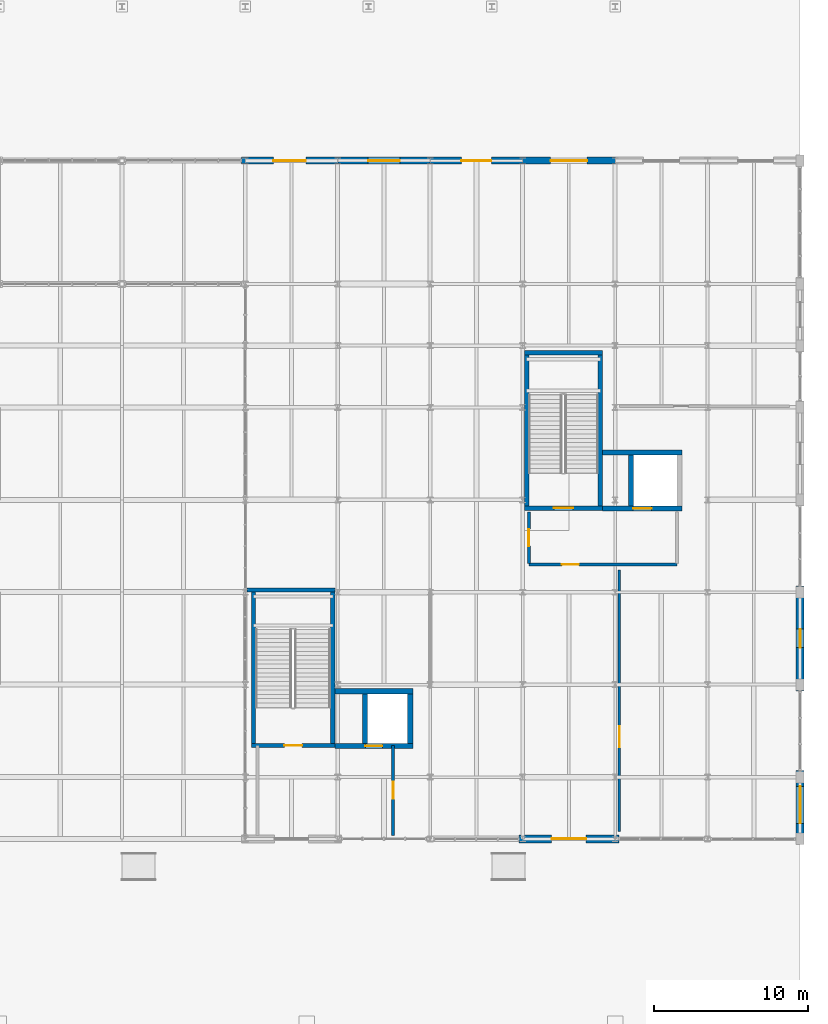
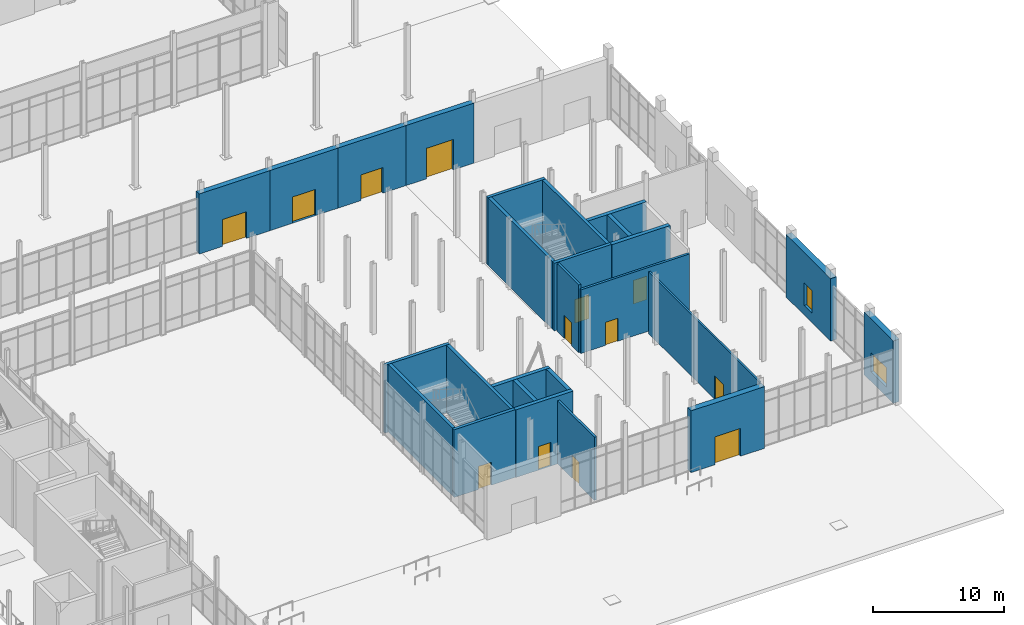
# One storey, part 125 of 140: 26 walls, 13 doors, 2 windows, 15 openings.
"""IFC4 building model written with IfcOpenShell, lengths in metres."""

from ifc_helpers import new_model, si_unit, direction, frame, frame_2d, origin, place, context, subcontext, project, spatial, rectangle, extrude, material, layer, layer_set, type_object, element, fill, save


model = new_model("IFC4")

# Units and contexts
model_context = context("Model", 3, precision=1e-05, world=origin(), true_north=direction((0.0, 1.0)))
body_context = subcontext(model_context, "Body", "Model", "MODEL_VIEW")
ifc_project = project(units=[si_unit("LENGTHUNIT", "METRE"), si_unit("AREAUNIT", "SQUARE_METRE"), si_unit("VOLUMEUNIT", "CUBIC_METRE"), si_unit("PLANEANGLEUNIT", "RADIAN"), si_unit("MASSUNIT", "GRAM", prefix="KILO")], contexts=[model_context])

# Site, building, storey
site_placement = place(None, origin())
site = spatial("IfcSite", under=ifc_project, at=site_placement, CompositionType="ELEMENT")
building_placement = place(site_placement, origin())
building = spatial("IfcBuilding", under=site, at=building_placement, Name="Verrall Gate Interchange", CompositionType="ELEMENT")
storey_placement = place(building_placement, origin())
storey = spatial("IfcBuildingStorey", under=building, at=storey_placement, Name="L01", CompositionType="ELEMENT", Elevation=0.0)

# Wall, opening, door
ifc_material_1 = material(Name="Tyndall Dolomitic Limestone Ashlar Cavity Assembly (U=0.18)", Category="masonry")
ifc_layer_1 = layer(ifc_material_1, 0.4599609375)
ifc_layer_set_1 = layer_set([ifc_layer_1], Name="Tyndall Dolomitic Limestone Ashlar Cavity Assembly (U=0.18)")
wall_type_1 = type_object("IfcWallType", Name="EW-02 Exterior Solid Wall 460", PredefinedType="SOLIDWALL", material=ifc_layer_set_1)
wall_1_placement = place(storey_placement, frame((156.008056640625, 56.0, 0.0), z_axis=(0.0, 0.0, 1.0), x_axis=(-1.0, 0.0, 0.0)))
wall_1 = element("IfcWall", 1, at=wall_1_placement, inside=storey, type_object=wall_type_1, Name="L01 Classical Limestone Facade Wall 038", PredefinedType="SOLIDWALL", context=body_context, shape_type="SweptSolid", body=[
    extrude(rectangle(XDim=6.01611328125, YDim=0.4599609375, at=frame_2d((3.008056640625, 0.0))), origin(), (0.0, 0.0, 1.0), 5.60693359375),
])
opening_1_placement = place(wall_1_placement, frame((1.818115234375, 0.0, 0.0)))
opening_1 = element("IfcOpeningElement", 2, at=opening_1_placement, cuts=wall_1, Name="Opening E32", PredefinedType="OPENING", context=body_context, shape_type="SweptSolid", body=[
    extrude(rectangle(XDim=2.3798828125, YDim=2.85009765625, at=frame_2d((1.18994140625, 1.425048828125))), frame((0.0, 0.244873046875, 0.0), z_axis=(0.0, -1.0, 0.0), x_axis=(1.0, 0.0, 0.0)), (0.0, 0.0, 1.0), 0.48974609375),
])
ifc_material_2 = material(Name="Thermally Broken Bronze-Anodized Aluminium Entrance Assembly", Category="aluminium")
door_type_1 = type_object("IfcDoorType", Name="ED-08 Exterior Entrance Door 2380x2850", OperationType="NOTDEFINED", PredefinedType="DOOR", material=ifc_material_2)
door_1_placement = place(opening_1_placement, origin())
door_1 = element("IfcDoor", 3, at=door_1_placement, inside=storey, type_object=door_type_1, Name="Main Interchange Exit Portal E32", OperationType="DOUBLE_DOOR_SINGLE_SWING", OverallHeight=2.85009765625, OverallWidth=2.3798828125, PredefinedType="DOOR", context=body_context, shape_type="SweptSolid", body=[
    extrude(rectangle(XDim=2.3798828125, YDim=2.85009765625, at=frame_2d((1.18994140625, 1.425048828125))), frame((0.0, 0.02490234375, 0.0), z_axis=(0.0, -1.0, 0.0), x_axis=(1.0, 0.0, 0.0)), (0.0, 0.0, 1.0), 0.050048828125),
])
fill(opening_1, door_1)

wall_2_placement = place(storey_placement, frame((150.008056640625, 56.0, 0.0), z_axis=(0.0, 0.0, 1.0), x_axis=(-1.0, 0.0, 0.0)))
wall_2 = element("IfcWall", 4, at=wall_2_placement, inside=storey, type_object=wall_type_1, Name="L01 Classical Limestone Facade Wall 039", PredefinedType="SOLIDWALL", context=body_context, shape_type="SweptSolid", body=[
    extrude(rectangle(XDim=6.01611328125, YDim=0.4599609375, at=frame_2d((3.008056640625, 0.0))), origin(), (0.0, 0.0, 1.0), 5.60693359375),
])
opening_2_placement = place(wall_2_placement, frame((2.032958984375, 0.0, 0.0)))
opening_2 = element("IfcOpeningElement", 5, at=opening_2_placement, cuts=wall_2, Name="Opening E33", PredefinedType="OPENING", context=body_context, shape_type="SweptSolid", body=[
    extrude(rectangle(XDim=1.949951171875, YDim=2.39990234375, at=frame_2d((0.97509765625, 1.199951171875))), frame((0.0, 0.244873046875, 0.0), z_axis=(0.0, -1.0, 0.0), x_axis=(1.0, 0.0, 0.0)), (0.0, 0.0, 1.0), 0.48974609375),
])
ifc_material_3 = material(Name="Thermally Broken Bronze-Anodized Aluminium Entrance Assembly", Category="aluminium")
door_type_2 = type_object("IfcDoorType", Name="ED-01 Exterior Entrance Door 1950x2400", OperationType="NOTDEFINED", PredefinedType="DOOR", material=ifc_material_3)
door_2_placement = place(opening_2_placement, origin())
door_2 = element("IfcDoor", 6, at=door_2_placement, inside=storey, type_object=door_type_2, Name="Main Interchange Exit Portal E33", OperationType="DOUBLE_DOOR_SINGLE_SWING", OverallHeight=2.39990234375, OverallWidth=1.949951171875, PredefinedType="DOOR", context=body_context, shape_type="SweptSolid", body=[
    extrude(rectangle(XDim=1.949951171875, YDim=2.39990234375, at=frame_2d((0.97509765625, 1.199951171875))), frame((0.0, 0.02490234375, 0.0), z_axis=(0.0, -1.0, 0.0), x_axis=(1.0, 0.0, 0.0)), (0.0, 0.0, 1.0), 0.050048828125),
])
fill(opening_2, door_2)

wall_3_placement = place(storey_placement, frame((144.008056640625, 56.0, 0.0), z_axis=(0.0, 0.0, 1.0), x_axis=(-1.0, 0.0, 0.0)))
wall_3 = element("IfcWall", 7, at=wall_3_placement, inside=storey, type_object=wall_type_1, Name="L01 Classical Limestone Facade Wall 040", PredefinedType="SOLIDWALL", context=body_context, shape_type="SweptSolid", body=[
    extrude(rectangle(XDim=6.01611328125, YDim=0.4599609375, at=frame_2d((3.008056640625, 0.0))), origin(), (0.0, 0.0, 1.0), 5.60693359375),
])
opening_3_placement = place(wall_3_placement, frame((1.98291015625, 0.0, 0.0)))
opening_3 = element("IfcOpeningElement", 8, at=opening_3_placement, cuts=wall_3, Name="Opening E34", PredefinedType="OPENING", context=body_context, shape_type="SweptSolid", body=[
    extrude(rectangle(XDim=2.050048828125, YDim=2.449951171875, at=frame_2d((1.02490234375, 1.22509765625))), frame((0.0, 0.244873046875, 0.0), z_axis=(0.0, -1.0, 0.0), x_axis=(1.0, 0.0, 0.0)), (0.0, 0.0, 1.0), 0.48974609375),
])
ifc_material_4 = material(Name="Thermally Broken Bronze-Anodized Aluminium Entrance Assembly", Category="aluminium")
door_type_3 = type_object("IfcDoorType", Name="ED-02 Exterior Entrance Door 2050x2450", OperationType="NOTDEFINED", PredefinedType="DOOR", material=ifc_material_4)
door_3_placement = place(opening_3_placement, origin())
door_3 = element("IfcDoor", 9, at=door_3_placement, inside=storey, type_object=door_type_3, Name="Main Interchange Exit Portal E34", OperationType="DOUBLE_DOOR_SINGLE_SWING", OverallHeight=2.449951171875, OverallWidth=2.050048828125, PredefinedType="DOOR", context=body_context, shape_type="SweptSolid", body=[
    extrude(rectangle(XDim=2.050048828125, YDim=2.449951171875, at=frame_2d((1.02490234375, 1.22509765625))), frame((0.0, 0.02490234375, 0.0), z_axis=(0.0, -1.0, 0.0), x_axis=(1.0, 0.0, 0.0)), (0.0, 0.0, 1.0), 0.050048828125),
])
fill(opening_3, door_3)

wall_4_placement = place(storey_placement, frame((138.008056640625, 56.0, 0.0), z_axis=(0.0, 0.0, 1.0), x_axis=(-1.0, 0.0, 0.0)))
wall_4 = element("IfcWall", 10, at=wall_4_placement, inside=storey, type_object=wall_type_1, Name="L01 Classical Limestone Facade Wall 041", PredefinedType="SOLIDWALL", context=body_context, shape_type="SweptSolid", body=[
    extrude(rectangle(XDim=6.258056640625, YDim=0.4599609375, at=frame_2d((3.12890625, 0.0))), origin(), (0.0, 0.0, 1.0), 5.60693359375),
])
opening_4_placement = place(wall_4_placement, frame((2.069091796875, 0.0, 0.0)))
opening_4 = element("IfcOpeningElement", 11, at=opening_4_placement, cuts=wall_4, Name="Opening E35", PredefinedType="OPENING", context=body_context, shape_type="SweptSolid", body=[
    extrude(rectangle(XDim=2.1201171875, YDim=2.5, at=frame_2d((1.06005859375, 1.25))), frame((0.0, 0.244873046875, 0.0), z_axis=(0.0, -1.0, 0.0), x_axis=(1.0, 0.0, 0.0)), (0.0, 0.0, 1.0), 0.48974609375),
])
ifc_material_5 = material(Name="Thermally Broken Bronze-Anodized Aluminium Entrance Assembly", Category="aluminium")
door_type_4 = type_object("IfcDoorType", Name="ED-03 Exterior Entrance Door 2120x2500", OperationType="NOTDEFINED", PredefinedType="DOOR", material=ifc_material_5)
door_4_placement = place(opening_4_placement, origin())
door_4 = element("IfcDoor", 12, at=door_4_placement, inside=storey, type_object=door_type_4, Name="Main Interchange Exit Portal E35", OperationType="DOUBLE_DOOR_SINGLE_SWING", OverallHeight=2.5, OverallWidth=2.1201171875, PredefinedType="DOOR", context=body_context, shape_type="SweptSolid", body=[
    extrude(rectangle(XDim=2.1201171875, YDim=2.5, at=frame_2d((1.06005859375, 1.25))), frame((0.0, 0.02490234375, 0.0), z_axis=(0.0, -1.0, 0.0), x_axis=(1.0, 0.0, 0.0)), (0.0, 0.0, 1.0), 0.050048828125),
])
fill(opening_4, door_4)

ifc_material_6 = material(Name="Prairie Charcoal Granite Plinth Rainscreen Assembly (U=0.18)", Category="masonry")
ifc_layer_2 = layer(ifc_material_6, 0.52001953125)
ifc_layer_set_2 = layer_set([ifc_layer_2], Name="Prairie Charcoal Granite Plinth Rainscreen Assembly (U=0.18)")
wall_type_2 = type_object("IfcWallType", Name="EW-03 Exterior Solid Wall 520", PredefinedType="SOLIDWALL", material=ifc_layer_set_2)
wall_5_placement = place(storey_placement, frame((156.25, 12.0, 0.0), z_axis=(0.0, 0.0, 1.0), x_axis=(-1.0, 0.0, 0.0)))
wall_5 = element("IfcWall", 13, at=wall_5_placement, inside=storey, type_object=wall_type_2, Name="L01 Classical Limestone Facade Wall 031", PredefinedType="SOLIDWALL", context=body_context, shape_type="SweptSolid", body=[
    extrude(rectangle(XDim=6.5, YDim=0.52001953125, at=frame_2d((3.25, 0.0))), origin(), (0.0, 0.0, 1.0), 5.760986328125),
])
opening_5_placement = place(wall_5_placement, frame((2.1298828125, 0.0, 0.0)))
opening_5 = element("IfcOpeningElement", 14, at=opening_5_placement, cuts=wall_5, Name="Opening E29", PredefinedType="OPENING", context=body_context, shape_type="SweptSolid", body=[
    extrude(rectangle(XDim=2.239990234375, YDim=2.60009765625, at=frame_2d((1.1201171875, 1.300048828125))), frame((0.0, 0.27490234375, 0.0), z_axis=(0.0, -1.0, 0.0), x_axis=(1.0, 0.0, 0.0)), (0.0, 0.0, 1.0), 0.5498046875),
])
ifc_material_7 = material(Name="Thermally Broken Bronze-Anodized Aluminium Entrance Assembly", Category="aluminium")
door_type_5 = type_object("IfcDoorType", Name="ED-05 Exterior Entrance Door 2240x2600", OperationType="NOTDEFINED", PredefinedType="DOOR", material=ifc_material_7)
door_5_placement = place(opening_5_placement, origin())
door_5 = element("IfcDoor", 15, at=door_5_placement, inside=storey, type_object=door_type_5, Name="Main Interchange Exit Portal E29", OperationType="DOUBLE_DOOR_SINGLE_SWING", OverallHeight=2.60009765625, OverallWidth=2.239990234375, PredefinedType="DOOR", context=body_context, shape_type="SweptSolid", body=[
    extrude(rectangle(XDim=2.239990234375, YDim=2.60009765625, at=frame_2d((1.1201171875, 1.300048828125))), frame((0.0, 0.02490234375, 0.0), z_axis=(0.0, -1.0, 0.0), x_axis=(1.0, 0.0, 0.0)), (0.0, 0.0, 1.0), 0.050048828125),
])
fill(opening_5, door_5)

# Wall, opening, window
wall_6_placement = place(storey_placement, frame((168.0, 11.991943359375, 0.0), z_axis=(0.0, 0.0, 1.0), x_axis=(0.0, 1.0, 0.0)))
wall_6 = element("IfcWall", 16, at=wall_6_placement, inside=storey, type_object=wall_type_2, Name="L01 Classical Limestone Facade Wall 032", PredefinedType="SOLIDWALL", context=body_context, shape_type="SweptSolid", body=[
    extrude(rectangle(XDim=4.427978515625, YDim=0.52001953125, at=frame_2d((2.2138671875, 0.0))), origin(), (0.0, 0.0, 1.0), 5.8369140625),
])
opening_6_placement = place(wall_6_placement, frame((1.013916015625, 0.0, 0.89990234375)))
opening_6 = element("IfcOpeningElement", 17, at=opening_6_placement, cuts=wall_6, Name="Opening WN-08", PredefinedType="OPENING", context=body_context, shape_type="SweptSolid", body=[
    extrude(rectangle(XDim=2.39990234375, YDim=1.800048828125, at=frame_2d((1.199951171875, 0.89990234375))), frame((0.0, 0.27490234375, 0.0), z_axis=(0.0, -1.0, 0.0), x_axis=(1.0, 0.0, 0.0)), (0.0, 0.0, 1.0), 0.5498046875),
])
ifc_material_8 = material(Name="Triple-Glazed Low-E Argon Bronze-Clad Window Unit (U=1.40)", Category="glass")
window_type_1 = type_object("IfcWindowType", Name="WN-08 Classical Deep-Reveal Window 2400x1800", PartitioningType="SINGLE_PANEL", PredefinedType="WINDOW", material=ifc_material_8)
window_1_placement = place(opening_6_placement, origin())
window_1 = element("IfcWindow", 18, at=window_1_placement, inside=storey, type_object=window_type_1, Name="L01 Classical Window 002 (WN-08)", OverallHeight=1.800048828125, OverallWidth=2.39990234375, PartitioningType="SINGLE_PANEL", PredefinedType="WINDOW", context=body_context, shape_type="SweptSolid", body=[
    extrude(rectangle(XDim=2.39990234375, YDim=1.800048828125, at=frame_2d((1.199951171875, 0.89990234375))), frame((0.0, 0.030029296875, 0.0), z_axis=(0.0, -1.0, 0.0), x_axis=(1.0, 0.0, 0.0)), (0.0, 0.0, 1.0), 0.06005859375),
])
fill(opening_6, window_1)

wall_7_placement = place(storey_placement, frame((168.0, 21.580078125, 0.0), z_axis=(0.0, 0.0, 1.0), x_axis=(0.0, 1.0, 0.0)))
wall_7 = element("IfcWall", 19, at=wall_7_placement, inside=storey, type_object=wall_type_2, Name="L01 Classical Limestone Facade Wall 033", PredefinedType="SOLIDWALL", context=body_context, shape_type="SweptSolid", body=[
    extrude(rectangle(XDim=6.83984375, YDim=0.52001953125, at=frame_2d((3.419921875, 0.0))), origin(), (0.0, 0.0, 1.0), 5.8369140625),
])
opening_7_placement = place(wall_7_placement, frame((2.820068359375, 0.0, 0.89990234375)))
opening_7 = element("IfcOpeningElement", 20, at=opening_7_placement, cuts=wall_7, Name="Opening WN-09", PredefinedType="OPENING", context=body_context, shape_type="SweptSolid", body=[
    extrude(rectangle(XDim=1.199951171875, YDim=2.10009765625, at=frame_2d((0.60009765625, 1.050048828125))), frame((0.0, 0.27490234375, 0.0), z_axis=(0.0, -1.0, 0.0), x_axis=(1.0, 0.0, 0.0)), (0.0, 0.0, 1.0), 0.5498046875),
])
ifc_material_9 = material(Name="Triple-Glazed Low-E Argon Bronze-Clad Window Unit (U=1.40)", Category="glass")
window_type_2 = type_object("IfcWindowType", Name="WN-09 Classical Deep-Reveal Window 1200x2100", PartitioningType="SINGLE_PANEL", PredefinedType="WINDOW", material=ifc_material_9)
window_2_placement = place(opening_7_placement, origin())
window_2 = element("IfcWindow", 21, at=window_2_placement, inside=storey, type_object=window_type_2, Name="L01 Classical Window 003 (WN-09)", OverallHeight=2.10009765625, OverallWidth=1.199951171875, PartitioningType="SINGLE_PANEL", PredefinedType="WINDOW", context=body_context, shape_type="SweptSolid", body=[
    extrude(rectangle(XDim=1.199951171875, YDim=2.10009765625, at=frame_2d((0.60009765625, 1.050048828125))), frame((0.0, 0.030029296875, 0.0), z_axis=(0.0, -1.0, 0.0), x_axis=(1.0, 0.0, 0.0)), (0.0, 0.0, 1.0), 0.06005859375),
])
fill(opening_7, window_2)

# Wall, opening, door
ifc_material_10 = material(Name="Fire-Rated Type X Gypsum Stud Partition Assembly (60 min)", Category="gypsum")
ifc_layer_3 = layer(ifc_material_10, 0.199951171875)
ifc_layer_set_3 = layer_set([ifc_layer_3], Name="Fire-Rated Type X Gypsum Stud Partition Assembly (60 min)")
wall_type_3 = type_object("IfcWallType", Name="IW-01 Interior Partition Wall 200", PredefinedType="PARTITIONING", material=ifc_layer_set_3)
wall_8_placement = place(storey_placement, frame((141.60009765625, 12.22998046875, 0.0), z_axis=(0.0, 0.0, 1.0), x_axis=(0.0, 1.0, 0.0)))
wall_8 = element("IfcWall", 22, at=wall_8_placement, inside=storey, type_object=wall_type_3, Name="L01 Core C8 Lobby East Rated Wall", PredefinedType="PARTITIONING", context=body_context, shape_type="SweptSolid", body=[
    extrude(rectangle(XDim=5.820068359375, YDim=0.199951171875, at=frame_2d((2.91015625, 0.0))), origin(), (0.0, 0.0, 1.0), 5.889892578125),
])
opening_8_placement = place(wall_8_placement, frame((2.360107421875, 0.0, 0.0)))
opening_8 = element("IfcOpeningElement", 23, at=opening_8_placement, cuts=wall_8, Name="Opening LBD094", PredefinedType="OPENING", context=body_context, shape_type="SweptSolid", body=[
    extrude(rectangle(XDim=1.10009765625, YDim=2.14990234375, at=frame_2d((0.550048828125, 1.074951171875))), frame((0.0, 0.11474609375, 0.0), z_axis=(0.0, -1.0, 0.0), x_axis=(1.0, 0.0, 0.0)), (0.0, 0.0, 1.0), 0.229736328125),
])
ifc_material_11 = material(Name="Hollow-Metal Fire-Rated Door Assembly", Category="metal")
door_type_6 = type_object("IfcDoorType", Name="ID-06 Interior Swing Door 1100x2150", OperationType="NOTDEFINED", PredefinedType="DOOR", material=ifc_material_11)
door_6_placement = place(opening_8_placement, origin())
door_6 = element("IfcDoor", 24, at=door_6_placement, inside=storey, type_object=door_type_6, Name="L01 Core C8 Lobby Fire Door LBD094", OperationType="SINGLE_SWING_RIGHT", OverallHeight=2.14990234375, OverallWidth=1.10009765625, PredefinedType="DOOR", context=body_context, shape_type="SweptSolid", body=[
    extrude(rectangle(XDim=1.10009765625, YDim=2.14990234375, at=frame_2d((0.550048828125, 1.074951171875))), frame((0.0, 0.02490234375, 0.0), z_axis=(0.0, -1.0, 0.0), x_axis=(1.0, 0.0, 0.0)), (0.0, 0.0, 1.0), 0.050048828125),
])
fill(opening_8, door_6)

wall_9_placement = place(storey_placement, frame((150.39990234375, 29.800048828125, 0.0), z_axis=(0.0, 0.0, 1.0), x_axis=(1.0, 0.0, 0.0)))
wall_9 = element("IfcWall", 25, at=wall_9_placement, inside=storey, type_object=wall_type_3, Name="L01 Core C9 Lobby South Rated Wall", PredefinedType="PARTITIONING", context=body_context, shape_type="SweptSolid", body=[
    extrude(rectangle(XDim=9.60009765625, YDim=0.199951171875, at=frame_2d((4.800048828125, 0.0))), origin(), (0.0, 0.0, 1.0), 5.946044921875),
])
opening_9_placement = place(wall_9_placement, frame((2.14990234375, 0.0, 0.0)))
opening_9 = element("IfcOpeningElement", 26, at=opening_9_placement, cuts=wall_9, Name="Opening LBD105", PredefinedType="OPENING", context=body_context, shape_type="SweptSolid", body=[
    extrude(rectangle(XDim=1.10009765625, YDim=2.14990234375, at=frame_2d((0.550048828125, 1.074951171875))), frame((0.0, 0.11474609375, 0.0), z_axis=(0.0, -1.0, 0.0), x_axis=(1.0, 0.0, 0.0)), (0.0, 0.0, 1.0), 0.229736328125),
])
door_7_placement = place(opening_9_placement, origin())
door_7 = element("IfcDoor", 27, at=door_7_placement, inside=storey, type_object=door_type_6, Name="L01 Core C9 Exit Passageway Fire Door LBD105", OperationType="SINGLE_SWING_LEFT", OverallHeight=2.14990234375, OverallWidth=1.10009765625, PredefinedType="DOOR", context=body_context, shape_type="SweptSolid", body=[
    extrude(rectangle(XDim=1.10009765625, YDim=2.14990234375, at=frame_2d((0.550048828125, 1.074951171875))), frame((0.0, 0.02490234375, 0.0), z_axis=(0.0, -1.0, 0.0), x_axis=(1.0, 0.0, 0.0)), (0.0, 0.0, 1.0), 0.050048828125),
])
fill(opening_9, door_7)

wall_10_placement = place(storey_placement, frame((150.39990234375, 33.199951171875, 0.0), z_axis=(0.0, 0.0, 1.0), x_axis=(0.0, -1.0, 0.0)))
wall_10 = element("IfcWall", 28, at=wall_10_placement, inside=storey, type_object=wall_type_3, Name="L01 Core C9 Lobby West Rated Wall", PredefinedType="PARTITIONING", context=body_context, shape_type="SweptSolid", body=[
    extrude(rectangle(XDim=3.320068359375, YDim=0.199951171875, at=frame_2d((1.66015625, 0.0))), origin(), (0.0, 0.0, 1.0), 6.320068359375),
])
opening_10_placement = place(wall_10_placement, frame((1.110107421875, 0.0, 0.0)))
opening_10 = element("IfcOpeningElement", 29, at=opening_10_placement, cuts=wall_10, Name="Opening LBD104", PredefinedType="OPENING", context=body_context, shape_type="SweptSolid", body=[
    extrude(rectangle(XDim=1.10009765625, YDim=2.14990234375, at=frame_2d((0.550048828125, 1.074951171875))), frame((0.0, 0.11474609375, 0.0), z_axis=(0.0, -1.0, 0.0), x_axis=(1.0, 0.0, 0.0)), (0.0, 0.0, 1.0), 0.229736328125),
])
door_8_placement = place(opening_10_placement, origin())
door_8 = element("IfcDoor", 30, at=door_8_placement, inside=storey, type_object=door_type_6, Name="L01 Core C9 Lobby Fire Door LBD104", OperationType="SINGLE_SWING_RIGHT", OverallHeight=2.14990234375, OverallWidth=1.10009765625, PredefinedType="DOOR", context=body_context, shape_type="SweptSolid", body=[
    extrude(rectangle(XDim=1.10009765625, YDim=2.14990234375, at=frame_2d((0.550048828125, 1.074951171875))), frame((0.0, 0.02490234375, 0.0), z_axis=(0.0, -1.0, 0.0), x_axis=(1.0, 0.0, 0.0)), (0.0, 0.0, 1.0), 0.050048828125),
])
fill(opening_10, door_8)

ifc_material_12 = material(Name="Fire-Rated Type X Gypsum Stud Partition Assembly (60 min)", Category="gypsum")
ifc_layer_4 = layer(ifc_material_12, 0.159912109375)
ifc_layer_set_4 = layer_set([ifc_layer_4], Name="Fire-Rated Type X Gypsum Stud Partition Assembly (60 min)")
wall_type_4 = type_object("IfcWallType", Name="IW-02 Interior Partition Wall 160", PredefinedType="PARTITIONING", material=ifc_layer_set_4)
wall_11_placement = place(storey_placement, frame((156.280029296875, 12.47998046875, 0.0), z_axis=(0.0, 0.0, 1.0), x_axis=(0.0, 1.0, 0.0)))
wall_11 = element("IfcWall", 31, at=wall_11_placement, inside=storey, type_object=wall_type_4, Name="L01 Cycle Repair Wash Workshop Partition 035", PredefinedType="PARTITIONING", context=body_context, shape_type="SweptSolid", body=[
    extrude(rectangle(XDim=16.9599609375, YDim=0.159912109375, at=frame_2d((8.47998046875, 0.0))), origin(), (0.0, 0.0, 1.0), 5.760986328125),
])
opening_11_placement = place(wall_11_placement, frame((5.4599609375, 0.0, 0.0)))
opening_11 = element("IfcOpeningElement", 32, at=opening_11_placement, cuts=wall_11, Name="Opening D028", PredefinedType="OPENING", context=body_context, shape_type="SweptSolid", body=[
    extrude(rectangle(XDim=1.360107421875, YDim=2.199951171875, at=frame_2d((0.68017578125, 1.10009765625))), frame((0.0, 0.0947265625, 0.0), z_axis=(0.0, -1.0, 0.0), x_axis=(1.0, 0.0, 0.0)), (0.0, 0.0, 1.0), 0.189697265625),
])
ifc_material_13 = material(Name="Architectural Solid-Core Birch Acoustic Door Assembly", Category="wood")
door_type_7 = type_object("IfcDoorType", Name="ID-17 Interior Swing Door 1360x2200", OperationType="NOTDEFINED", PredefinedType="DOOR", material=ifc_material_13)
door_9_placement = place(opening_11_placement, origin())
door_9 = element("IfcDoor", 33, at=door_9_placement, inside=storey, type_object=door_type_7, Name="L01 Cycle Repair Wash Workshop Door D028", OperationType="SINGLE_SWING_LEFT", OverallHeight=2.199951171875, OverallWidth=1.360107421875, PredefinedType="DOOR", context=body_context, shape_type="SweptSolid", body=[
    extrude(rectangle(XDim=1.360107421875, YDim=2.199951171875, at=frame_2d((0.68017578125, 1.10009765625))), frame((0.0, 0.02490234375, 0.0), z_axis=(0.0, -1.0, 0.0), x_axis=(1.0, 0.0, 0.0)), (0.0, 0.0, 1.0), 0.050048828125),
])
fill(opening_11, door_9)

ifc_material_14 = material(Name="Concrete CSA A23.1 40 MPa (Class N)", Category="concrete")
ifc_layer_5 = layer(ifc_material_14, 0.340087890625)
ifc_layer_set_5 = layer_set([ifc_layer_5], Name="Concrete CSA A23.1 40 MPa (Class N)")
wall_type_5 = type_object("IfcWallType", Name="SW-02 Core Shear Wall 340", PredefinedType="SHEAR", material=ifc_layer_set_5)
wall_12_placement = place(storey_placement, frame((137.820068359375, 18.030029296875, 0.0), z_axis=(0.0, 0.0, 1.0), x_axis=(1.0, 0.0, 0.0)))
wall_12 = element("IfcWall", 34, at=wall_12_placement, inside=storey, type_object=wall_type_5, Name="L01 Elevator EL-06 South Shaft Wall", PredefinedType="SHEAR", context=body_context, shape_type="SweptSolid", body=[
    extrude(rectangle(XDim=5.059814453125, YDim=0.340087890625, at=frame_2d((2.52978515625, 0.0))), origin(), (0.0, 0.0, 1.0), 6.320068359375),
])
opening_12_placement = place(wall_12_placement, frame((1.97998046875, 0.0, 0.0)))
opening_12 = element("IfcOpeningElement", 35, at=opening_12_placement, cuts=wall_12, Name="Opening LD-06-L01", PredefinedType="OPENING", context=body_context, shape_type="SweptSolid", body=[
    extrude(rectangle(XDim=1.10009765625, YDim=2.199951171875, at=frame_2d((0.550048828125, 1.10009765625))), frame((0.0, 0.18505859375, 0.0), z_axis=(0.0, -1.0, 0.0), x_axis=(1.0, 0.0, 0.0)), (0.0, 0.0, 1.0), 0.369873046875),
])
ifc_material_15 = material(Name="Stainless-Steel Elevator Landing Sliding Door Assembly", Category="steel")
door_type_8 = type_object("IfcDoorType", Name="LD-01 Elevator Sliding Landing Door 1100x2200", OperationType="NOTDEFINED", PredefinedType="DOOR", material=ifc_material_15)
door_10_placement = place(opening_12_placement, origin())
door_10 = element("IfcDoor", 36, at=door_10_placement, inside=storey, type_object=door_type_8, Name="L01 Elevator EL-06 Sliding Landing Door", OperationType="DOUBLE_DOOR_SLIDING", OverallHeight=2.199951171875, OverallWidth=1.10009765625, PredefinedType="DOOR", context=body_context, shape_type="SweptSolid", body=[
    extrude(rectangle(XDim=1.10009765625, YDim=2.199951171875, at=frame_2d((0.550048828125, 1.10009765625))), frame((0.0, 0.02490234375, 0.0), z_axis=(0.0, -1.0, 0.0), x_axis=(1.0, 0.0, 0.0)), (0.0, 0.0, 1.0), 0.050048828125),
])
fill(opening_12, door_10)

# Walls
wall_13_placement = place(storey_placement, frame((142.8798828125, 21.570068359375, 0.0), z_axis=(0.0, 0.0, 1.0), x_axis=(-1.0, 0.0, 0.0)))
element("IfcWall", 37, at=wall_13_placement, inside=storey, type_object=wall_type_5, Name="L01 Elevator EL-06 North Shaft Wall", PredefinedType="SHEAR", context=body_context, shape_type="SweptSolid", body=[
    extrude(rectangle(XDim=5.059814453125, YDim=0.340087890625, at=frame_2d((2.52978515625, 0.0))), origin(), (0.0, 0.0, 1.0), 6.320068359375),
])
for number, where, z_axis, x_axis, name in (
    (38, (139.77001953125, 21.39990234375, 0.0), (0.0, 0.0, 1.0), (0.0, -1.0, 0.0), "L01 Elevator EL-06 West Shaft Wall"),
    (39, (142.7099609375, 18.199951171875, 0.0), (0.0, 0.0, 1.0), (0.0, 1.0, 0.0), "L01 Elevator EL-06 East Shaft Wall"),
):
    element("IfcWall", number, at=place(storey_placement, frame(where, z_axis=z_axis, x_axis=x_axis)), inside=storey, type_object=wall_type_5, Name=name, PredefinedType="SHEAR", context=body_context, shape_type="SweptSolid", body=[
        extrude(rectangle(XDim=3.199951171875, YDim=0.340087890625, at=frame_2d((1.60009765625, 0.0))), origin(), (0.0, 0.0, 1.0), 6.320068359375),
    ])

# Wall, opening, door
wall_14_placement = place(storey_placement, frame((155.179931640625, 33.429931640625, 0.0), z_axis=(0.0, 0.0, 1.0), x_axis=(1.0, 0.0, 0.0)))
wall_14 = element("IfcWall", 40, at=wall_14_placement, inside=storey, type_object=wall_type_5, Name="L01 Elevator EL-07 South Shaft Wall", PredefinedType="SHEAR", context=body_context, shape_type="SweptSolid", body=[
    extrude(rectangle(XDim=5.16015625, YDim=0.340087890625, at=frame_2d((2.580078125, 0.0))), origin(), (0.0, 0.0, 1.0), 6.320068359375),
])
opening_13_placement = place(wall_14_placement, frame((1.97998046875, 0.0, 0.0)))
opening_13 = element("IfcOpeningElement", 41, at=opening_13_placement, cuts=wall_14, Name="Opening LD-07-L01", PredefinedType="OPENING", context=body_context, shape_type="SweptSolid", body=[
    extrude(rectangle(XDim=1.199951171875, YDim=2.199951171875, at=frame_2d((0.60009765625, 1.10009765625))), frame((0.0, 0.18505859375, 0.0), z_axis=(0.0, -1.0, 0.0), x_axis=(1.0, 0.0, 0.0)), (0.0, 0.0, 1.0), 0.369873046875),
])
ifc_material_16 = material(Name="Stainless-Steel Elevator Landing Sliding Door Assembly", Category="steel")
door_type_9 = type_object("IfcDoorType", Name="LD-02 Elevator Sliding Landing Door 1200x2200", OperationType="NOTDEFINED", PredefinedType="DOOR", material=ifc_material_16)
door_11_placement = place(opening_13_placement, origin())
door_11 = element("IfcDoor", 42, at=door_11_placement, inside=storey, type_object=door_type_9, Name="L01 Elevator EL-07 Sliding Landing Door", OperationType="DOUBLE_DOOR_SLIDING", OverallHeight=2.199951171875, OverallWidth=1.199951171875, PredefinedType="DOOR", context=body_context, shape_type="SweptSolid", body=[
    extrude(rectangle(XDim=1.199951171875, YDim=2.199951171875, at=frame_2d((0.60009765625, 1.10009765625))), frame((0.0, 0.02490234375, 0.0), z_axis=(0.0, -1.0, 0.0), x_axis=(1.0, 0.0, 0.0)), (0.0, 0.0, 1.0), 0.050048828125),
])
fill(opening_13, door_11)

# Walls
wall_15_placement = place(storey_placement, frame((160.340087890625, 37.070068359375, 0.0), z_axis=(0.0, 0.0, 1.0), x_axis=(-1.0, 0.0, 0.0)))
element("IfcWall", 43, at=wall_15_placement, inside=storey, type_object=wall_type_5, Name="L01 Elevator EL-07 North Shaft Wall", PredefinedType="SHEAR", context=body_context, shape_type="SweptSolid", body=[
    extrude(rectangle(XDim=5.16015625, YDim=0.340087890625, at=frame_2d((2.580078125, 0.0))), origin(), (0.0, 0.0, 1.0), 6.320068359375),
])
wall_16_placement = place(storey_placement, frame((157.030029296875, 36.89990234375, 0.0), z_axis=(0.0, 0.0, 1.0), x_axis=(0.0, -1.0, 0.0)))
element("IfcWall", 44, at=wall_16_placement, inside=storey, type_object=wall_type_5, Name="L01 Elevator EL-07 West Shaft Wall", PredefinedType="SHEAR", context=body_context, shape_type="SweptSolid", body=[
    extrude(rectangle(XDim=3.2998046875, YDim=0.340087890625, at=frame_2d((1.64990234375, 0.0))), origin(), (0.0, 0.0, 1.0), 6.320068359375),
])

# Wall, opening, door
ifc_material_17 = material(Name="Concrete CSA A23.1 40 MPa (Class N)", Category="concrete")
ifc_layer_6 = layer(ifc_material_17, 0.280029296875)
ifc_layer_set_6 = layer_set([ifc_layer_6], Name="Concrete CSA A23.1 40 MPa (Class N)")
wall_type_6 = type_object("IfcWallType", Name="SW-03 Core Shear Wall 280", PredefinedType="SHEAR", material=ifc_layer_set_6)
wall_17_placement = place(storey_placement, frame((132.39990234375, 18.06005859375, 0.0), z_axis=(0.0, 0.0, 1.0), x_axis=(1.0, 0.0, 0.0)))
wall_17 = element("IfcWall", 45, at=wall_17_placement, inside=storey, type_object=wall_type_6, Name="L01 Core C8 South Shear Wall", PredefinedType="SHEAR", context=body_context, shape_type="SweptSolid", body=[
    extrude(rectangle(XDim=5.420166015625, YDim=0.280029296875, at=frame_2d((2.7099609375, 0.0))), origin(), (0.0, 0.0, 1.0), 6.320068359375),
])
opening_14_placement = place(wall_17_placement, frame((2.135009765625, 0.0, 0.0)))
opening_14 = element("IfcOpeningElement", 46, at=opening_14_placement, cuts=wall_17, Name="Opening SD089", PredefinedType="OPENING", context=body_context, shape_type="SweptSolid", body=[
    extrude(rectangle(XDim=1.14990234375, YDim=2.14990234375, at=frame_2d((0.574951171875, 1.074951171875))), frame((0.0, 0.15478515625, 0.0), z_axis=(0.0, -1.0, 0.0), x_axis=(1.0, 0.0, 0.0)), (0.0, 0.0, 1.0), 0.309814453125),
])
ifc_material_18 = material(Name="Hollow-Metal Fire-Rated Door Assembly", Category="metal")
door_type_10 = type_object("IfcDoorType", Name="ID-02 Interior Swing Door 1150x2150", OperationType="NOTDEFINED", PredefinedType="DOOR", material=ifc_material_18)
door_12_placement = place(opening_14_placement, origin())
door_12 = element("IfcDoor", 47, at=door_12_placement, inside=storey, type_object=door_type_10, Name="L01 Stair ST-08 Fire Door SD089", OperationType="SINGLE_SWING_LEFT", OverallHeight=2.14990234375, OverallWidth=1.14990234375, PredefinedType="DOOR", context=body_context, shape_type="SweptSolid", body=[
    extrude(rectangle(XDim=1.14990234375, YDim=2.14990234375, at=frame_2d((0.574951171875, 1.074951171875))), frame((0.0, 0.02490234375, 0.0), z_axis=(0.0, -1.0, 0.0), x_axis=(1.0, 0.0, 0.0)), (0.0, 0.0, 1.0), 0.050048828125),
])
fill(opening_14, door_12)

# Walls
wall_18_placement = place(storey_placement, frame((137.820068359375, 28.139892578125, 0.0), z_axis=(0.0, 0.0, 1.0), x_axis=(-1.0, 0.0, 0.0)))
element("IfcWall", 48, at=wall_18_placement, inside=storey, type_object=wall_type_6, Name="L01 Core C8 North Shear Wall", PredefinedType="SHEAR", context=body_context, shape_type="SweptSolid", body=[
    extrude(rectangle(XDim=5.695068359375, YDim=0.280029296875, at=frame_2d((2.84765625, 0.0))), origin(), (0.0, 0.0, 1.0), 6.320068359375),
])
for number, where, z_axis, x_axis, name in (
    (49, (132.5400390625, 28.0, 0.0), (0.0, 0.0, 1.0), (0.0, -1.0, 0.0), "L01 Core C8 West Shear Wall"),
    (50, (137.679931640625, 18.199951171875, 0.0), (0.0, 0.0, 1.0), (0.0, 1.0, 0.0), "L01 Core C8 East Shear Wall"),
):
    element("IfcWall", number, at=place(storey_placement, frame(where, z_axis=z_axis, x_axis=x_axis)), inside=storey, type_object=wall_type_6, Name=name, PredefinedType="SHEAR", context=body_context, shape_type="SweptSolid", body=[
        extrude(rectangle(XDim=9.800048828125, YDim=0.280029296875, at=frame_2d((4.89990234375, 0.0))), origin(), (0.0, 0.0, 1.0), 6.320068359375),
    ])

# Wall, opening, door
wall_19_placement = place(storey_placement, frame((150.1201171875, 33.4599609375, 0.0), z_axis=(0.0, 0.0, 1.0), x_axis=(1.0, 0.0, 0.0)))
wall_19 = element("IfcWall", 51, at=wall_19_placement, inside=storey, type_object=wall_type_6, Name="L01 Core C9 South Shear Wall", PredefinedType="SHEAR", context=body_context, shape_type="SweptSolid", body=[
    extrude(rectangle(XDim=5.059814453125, YDim=0.280029296875, at=frame_2d((2.52978515625, 0.0))), origin(), (0.0, 0.0, 1.0), 6.320068359375),
])
opening_15_placement = place(wall_19_placement, frame((1.905029296875, 0.0, 0.0)))
opening_15 = element("IfcOpeningElement", 52, at=opening_15_placement, cuts=wall_19, Name="Opening SD099", PredefinedType="OPENING", context=body_context, shape_type="SweptSolid", body=[
    extrude(rectangle(XDim=1.25, YDim=2.199951171875, at=frame_2d((0.625, 1.10009765625))), frame((0.0, 0.15478515625, 0.0), z_axis=(0.0, -1.0, 0.0), x_axis=(1.0, 0.0, 0.0)), (0.0, 0.0, 1.0), 0.309814453125),
])
ifc_material_19 = material(Name="Hollow-Metal Fire-Rated Door Assembly", Category="metal")
door_type_11 = type_object("IfcDoorType", Name="ID-03 Interior Swing Door 1250x2200", OperationType="NOTDEFINED", PredefinedType="DOOR", material=ifc_material_19)
door_13_placement = place(opening_15_placement, origin())
door_13 = element("IfcDoor", 53, at=door_13_placement, inside=storey, type_object=door_type_11, Name="L01 Stair ST-09 Fire Door SD099", OperationType="SINGLE_SWING_LEFT", OverallHeight=2.199951171875, OverallWidth=1.25, PredefinedType="DOOR", context=body_context, shape_type="SweptSolid", body=[
    extrude(rectangle(XDim=1.25, YDim=2.199951171875, at=frame_2d((0.625, 1.10009765625))), frame((0.0, 0.02490234375, 0.0), z_axis=(0.0, -1.0, 0.0), x_axis=(1.0, 0.0, 0.0)), (0.0, 0.0, 1.0), 0.050048828125),
])
fill(opening_15, door_13)

# Walls
wall_20_placement = place(storey_placement, frame((155.179931640625, 43.5400390625, 0.0), z_axis=(0.0, 0.0, 1.0), x_axis=(-1.0, 0.0, 0.0)))
element("IfcWall", 54, at=wall_20_placement, inside=storey, type_object=wall_type_6, Name="L01 Core C9 North Shear Wall", PredefinedType="SHEAR", context=body_context, shape_type="SweptSolid", body=[
    extrude(rectangle(XDim=5.059814453125, YDim=0.280029296875, at=frame_2d((2.52978515625, 0.0))), origin(), (0.0, 0.0, 1.0), 6.320068359375),
])
for number, where, z_axis, x_axis, name in (
    (55, (150.260009765625, 43.39990234375, 0.0), (0.0, 0.0, 1.0), (0.0, -1.0, 0.0), "L01 Core C9 West Shear Wall"),
    (56, (155.0400390625, 33.60009765625, 0.0), (0.0, 0.0, 1.0), (0.0, 1.0, 0.0), "L01 Core C9 East Shear Wall"),
):
    element("IfcWall", number, at=place(storey_placement, frame(where, z_axis=z_axis, x_axis=x_axis)), inside=storey, type_object=wall_type_6, Name=name, PredefinedType="SHEAR", context=body_context, shape_type="SweptSolid", body=[
        extrude(rectangle(XDim=9.7998046875, YDim=0.280029296875, at=frame_2d((4.89990234375, 0.0))), origin(), (0.0, 0.0, 1.0), 6.320068359375),
    ])

save(model, "model.ifc")
